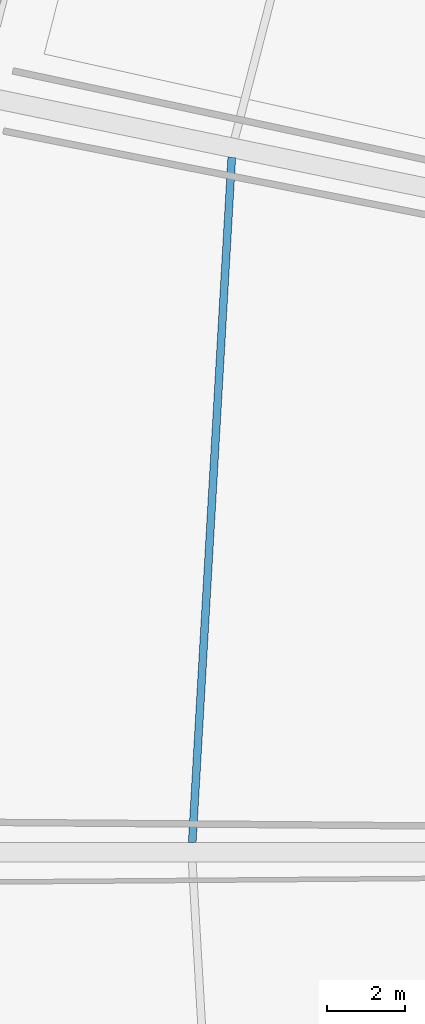
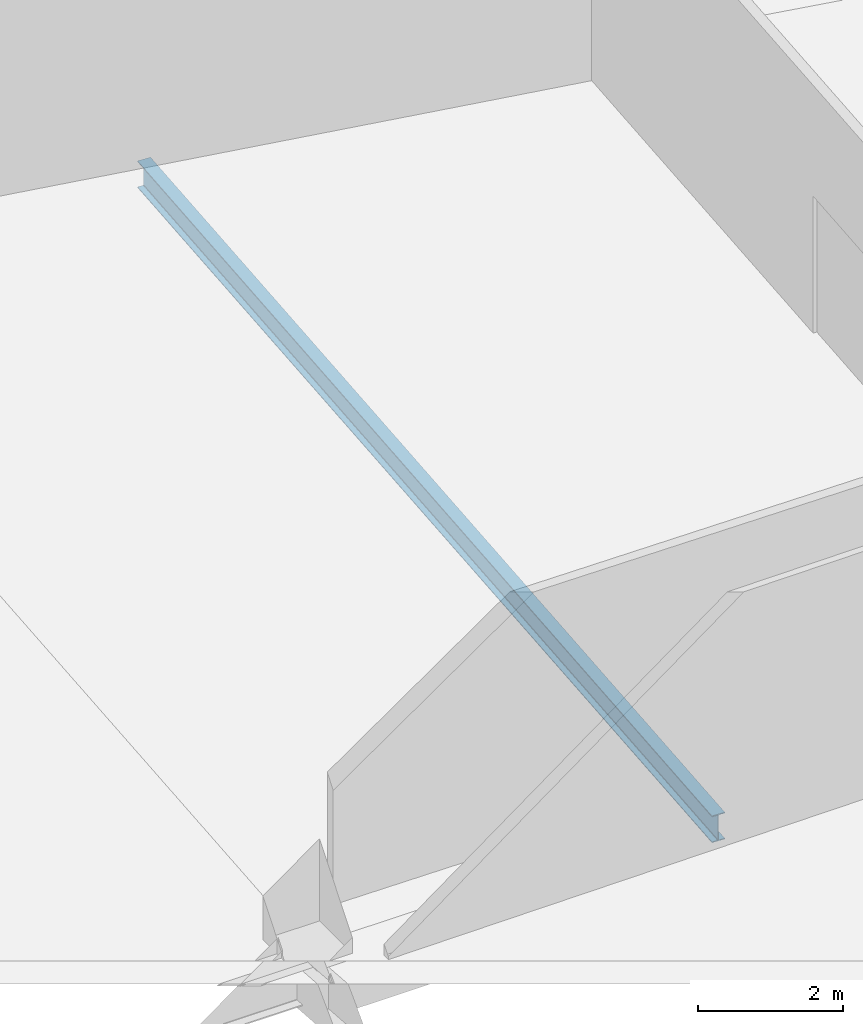
# One storey, part 39 of 184: 1 beam.
"""IFC4 building model written with IfcOpenShell, lengths in metres."""

from ifc_helpers import new_model, si_unit, direction, frame, origin, origin_2d, place, context, subcontext, project, spatial, i_section, extrude, material, material_profile, profile_set, type_object, element, save


model = new_model("IFC4")

# Units and contexts
model_context = context("Model", 3, precision=1e-05, world=origin(), true_north=direction((0.0, 1.0)))
body_context = subcontext(model_context, "Body", "Model", "MODEL_VIEW")
ifc_project = project(units=[si_unit("LENGTHUNIT", "METRE"), si_unit("AREAUNIT", "SQUARE_METRE"), si_unit("VOLUMEUNIT", "CUBIC_METRE"), si_unit("PLANEANGLEUNIT", "RADIAN"), si_unit("MASSUNIT", "GRAM", prefix="KILO")], contexts=[model_context])

# Site, building, storey
site_placement = place(None, origin())
site = spatial("IfcSite", under=ifc_project, at=site_placement, CompositionType="ELEMENT")
building_placement = place(site_placement, origin())
building = spatial("IfcBuilding", under=site, at=building_placement, Name="Kazemori Nagisa Stadium", CompositionType="ELEMENT")
storey_placement = place(building_placement, frame((0.0, 0.0, 10.5400390625)))
storey = spatial("IfcBuildingStorey", under=building, at=storey_placement, Name="L02", CompositionType="ELEMENT", Elevation=10.5400390625)

# Beam
ifc_material = material(Name="Steel SN490B", Category="steel")
ifc_material_profile = material_profile(ifc_material, i_section(OverallWidth=0.199951171875, OverallDepth=0.449951171875, WebThickness=0.009033203125, FlangeThickness=0.013916015625, FilletRadius=0.012939453125, at=origin_2d()), Name="H-450x200x9x14")
ifc_profile_set = profile_set([ifc_material_profile], Name="Steel SN490B")
beam_type = type_object("IfcBeamType", Name="Beam_BJ-H450", PredefinedType="JOIST", material=ifc_profile_set)
beam_placement = place(storey_placement, frame((35.6767578125, 119.795166015625, -0.485107421875), z_axis=(-0.057605851522, -0.998339404146, 0.0), x_axis=(0.998339404146, -0.057605851522, 0.0)))
element("IfcBeam", 1, at=beam_placement, inside=storey, type_object=beam_type, Name="Outer bay joist BJ-H450 L02 B14", PredefinedType="JOIST", context=body_context, shape_type="SweptSolid", body=[
    extrude(i_section(OverallWidth=0.199951171875, OverallDepth=0.449951171875, WebThickness=0.009033203125, FlangeThickness=0.013916015625, FilletRadius=0.012939453125, at=origin_2d()), origin(), (0.0, 0.0, 1.0), 17.579833984375),
])

save(model, "model.ifc")
